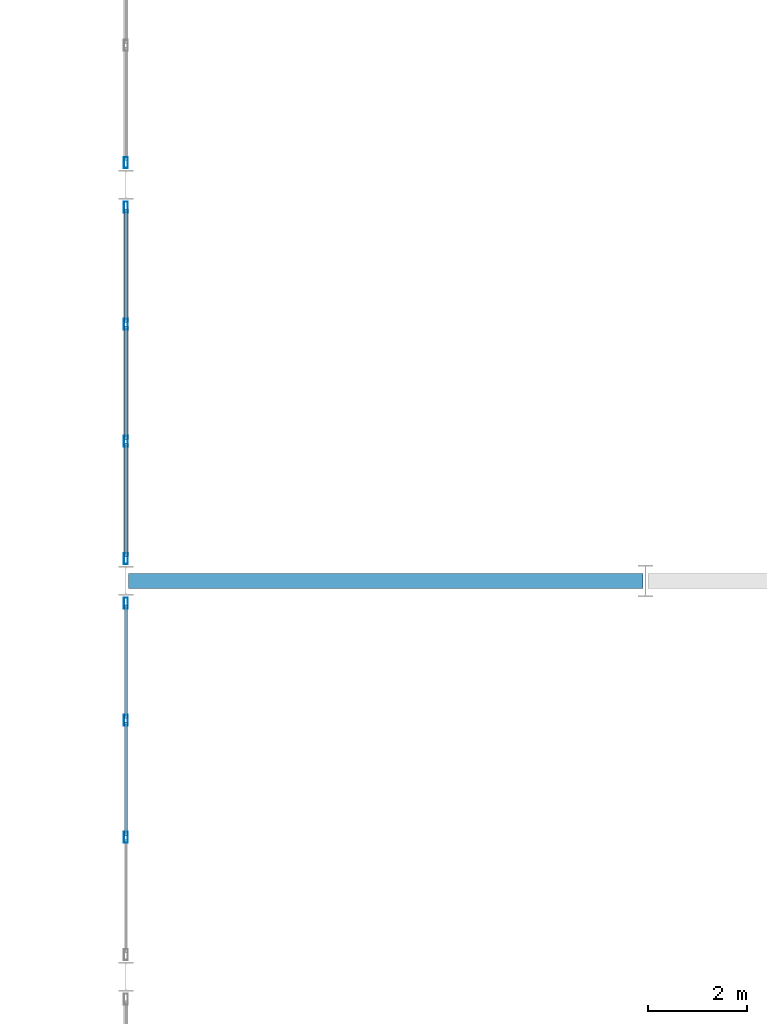
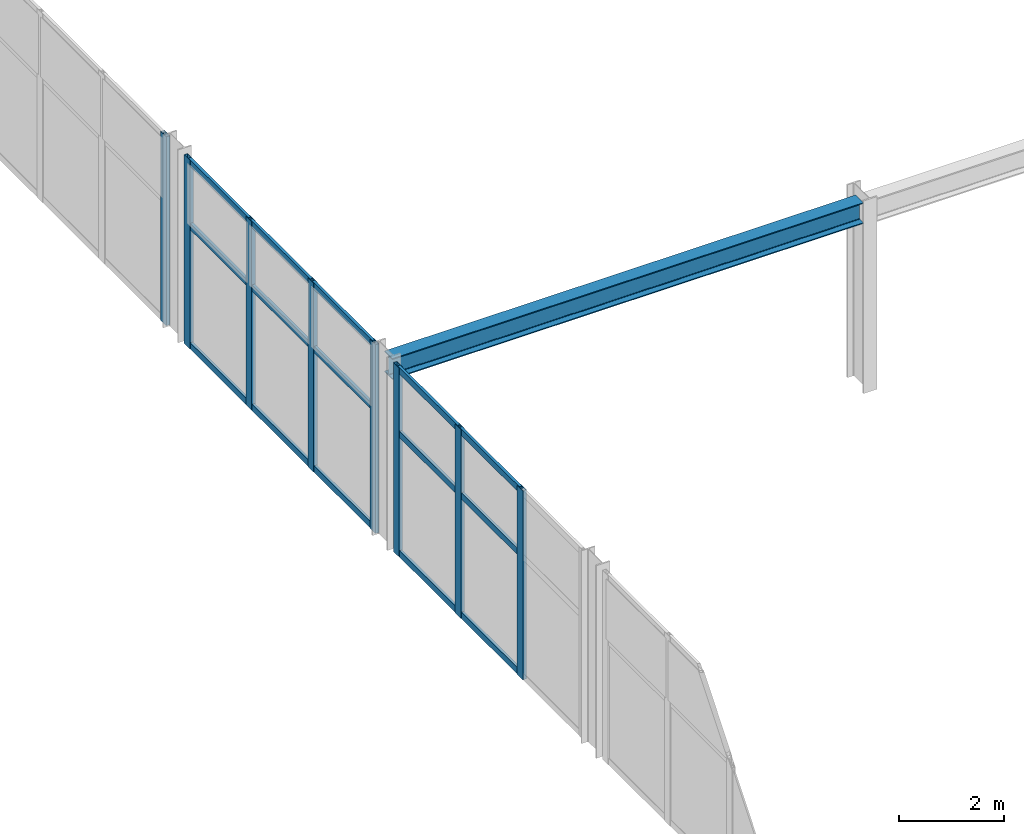
# One storey, part 28 of 105: 23 members, 1 beam, 3 elements without a shape of their own.
"""IFC4 building model written with IfcOpenShell, lengths in metres."""

from ifc_helpers import new_model, si_unit, direction, frame, origin, origin_2d, place, context, subcontext, project, spatial, hollow_rectangle, i_section, extrude, material, layer, layer_set, material_profile, profile_set, type_object, element, aggregate, save


model = new_model("IFC4")

# Units and contexts
model_context = context("Model", 3, precision=1e-05, world=origin(), true_north=direction((0.0, 1.0)))
body_context = subcontext(model_context, "Body", "Model", "MODEL_VIEW")
ifc_project = project(units=[si_unit("LENGTHUNIT", "METRE"), si_unit("AREAUNIT", "SQUARE_METRE"), si_unit("VOLUMEUNIT", "CUBIC_METRE"), si_unit("PLANEANGLEUNIT", "RADIAN"), si_unit("MASSUNIT", "GRAM", prefix="KILO")], contexts=[model_context])

# Site, building, storey
site_placement = place(None, origin())
site = spatial("IfcSite", under=ifc_project, at=site_placement, CompositionType="ELEMENT")
building_placement = place(site_placement, origin())
building = spatial("IfcBuilding", under=site, at=building_placement, Name="Marlcrest Central Station", CompositionType="ELEMENT")
storey_placement = place(building_placement, frame((0.0, 0.0, 15.0)))
storey = spatial("IfcBuildingStorey", under=building, at=storey_placement, Name="L03", CompositionType="ELEMENT", Elevation=15.0)

# Beam
ifc_material_1 = material(Name="Steel S355", Category="steel")
ifc_material_profile_1 = material_profile(ifc_material_1, i_section(OverallWidth=0.300048828125, OverallDepth=0.489990234375, WebThickness=0.011962890625, FlangeThickness=0.02294921875, FilletRadius=0.027099609375, at=origin_2d()), Name="HEA 500")
ifc_profile_set_1 = profile_set([ifc_material_profile_1], Name="Steel S355")
beam_type = type_object("IfcBeamType", Name="BM-10", PredefinedType="BEAM", material=ifc_profile_set_1)
beam_placement = place(storey_placement, frame((87.050048828125, 70.5, 4.074951171875), z_axis=(1.0, 0.0, 0.0), x_axis=(0.0, 1.0, 0.0)))
element("IfcBeam", 1, at=beam_placement, inside=storey, type_object=beam_type, Name="bm-BM-10-L03-01201", PredefinedType="BEAM", context=body_context, shape_type="SweptSolid", body=[
    extrude(i_section(OverallWidth=0.300048828125, OverallDepth=0.489990234375, WebThickness=0.011962890625, FlangeThickness=0.02294921875, FilletRadius=0.027099609375, at=origin_2d()), origin(), (0.0, 0.0, 1.0), 10.39990234375),
])

# Curtain wall, members
ifc_material_2 = material(Name="Anodised aluminium and hurricane laminated glass", Category="aluminium")
ifc_layer = layer(ifc_material_2, 0.219970703125, Name="CW-U1")
ifc_layer_set = layer_set([ifc_layer], Name="Anodised aluminium and hurricane laminated glass")
curtain_wall_type = type_object("IfcCurtainWallType", Name="CW-U1", PredefinedType="USERDEFINED", material=ifc_layer_set)
curtain_wall_1_placement = place(storey_placement, origin())
curtain_wall_1 = element("IfcCurtainWall", 2, at=curtain_wall_1_placement, inside=storey, type_object=curtain_wall_type, Name="cw-L03-0121", ObjectType="UNITISED_CURTAIN_WALL", PredefinedType="USERDEFINED")
ifc_material_3 = material(Name="Anodised aluminium 6063-T6", Category="aluminium")
ifc_material_profile_2 = material_profile(ifc_material_3, hollow_rectangle(XDim=0.080078125, YDim=0.219970703125, WallThickness=0.006103515625, at=origin_2d()), Name="AA-RHS 220x80x6")
ifc_profile_set_2 = profile_set([ifc_material_profile_2], Name="Anodised aluminium 6063-T6")
member_type_1 = type_object("IfcMemberType", Name="ML-01", PredefinedType="MULLION", material=ifc_profile_set_2)
member_1_placement = place(storey_placement, frame((87.0, 65.316650390625, -0.030029296875), z_axis=(0.0, 0.0, 1.0), x_axis=(1.0, 0.0, 0.0)))
member_1 = element("IfcMember", 3, at=member_1_placement, type_object=member_type_1, Name="cw-L03-0121-ml-1", PredefinedType="MULLION", context=body_context, shape_type="SweptSolid", body=[
    extrude(hollow_rectangle(XDim=0.080078125, YDim=0.219970703125, WallThickness=0.006103515625, at=origin_2d()), origin(), (0.0, 0.0, 1.0), 4.409912109375),
])
member_2_placement = place(storey_placement, frame((87.0, 67.683349609375, -0.030029296875), z_axis=(0.0, 0.0, 1.0), x_axis=(1.0, 0.0, 0.0)))
member_2 = element("IfcMember", 4, at=member_2_placement, type_object=member_type_1, Name="cw-L03-0121-ml-2", PredefinedType="MULLION", context=body_context, shape_type="SweptSolid", body=[
    extrude(hollow_rectangle(XDim=0.080078125, YDim=0.219970703125, WallThickness=0.006103515625, at=origin_2d()), origin(), (0.0, 0.0, 1.0), 4.409912109375),
])
member_3_placement = place(storey_placement, frame((87.0, 70.050048828125, -0.030029296875), z_axis=(0.0, 0.0, 1.0), x_axis=(1.0, 0.0, 0.0)))
member_3 = element("IfcMember", 5, at=member_3_placement, type_object=member_type_1, Name="cw-L03-0121-ml-3", PredefinedType="MULLION", context=body_context, shape_type="SweptSolid", body=[
    extrude(hollow_rectangle(XDim=0.080078125, YDim=0.219970703125, WallThickness=0.006103515625, at=origin_2d()), origin(), (0.0, 0.0, 1.0), 4.409912109375),
])

curtain_wall_2_placement = place(storey_placement, origin())
curtain_wall_2 = element("IfcCurtainWall", 6, at=curtain_wall_2_placement, inside=storey, type_object=curtain_wall_type, Name="cw-L03-0125", ObjectType="UNITISED_CURTAIN_WALL", PredefinedType="USERDEFINED")
member_4_placement = place(storey_placement, frame((87.0, 70.949951171875, -0.030029296875), z_axis=(0.0, 0.0, 1.0), x_axis=(1.0, 0.0, 0.0)))
member_4 = element("IfcMember", 7, at=member_4_placement, type_object=member_type_1, Name="cw-L03-0125-ml-0", PredefinedType="MULLION", context=body_context, shape_type="SweptSolid", body=[
    extrude(hollow_rectangle(XDim=0.080078125, YDim=0.219970703125, WallThickness=0.006103515625, at=origin_2d()), origin(), (0.0, 0.0, 1.0), 4.409912109375),
])
member_5_placement = place(storey_placement, frame((87.0, 73.316650390625, -0.030029296875), z_axis=(0.0, 0.0, 1.0), x_axis=(1.0, 0.0, 0.0)))
member_5 = element("IfcMember", 8, at=member_5_placement, type_object=member_type_1, Name="cw-L03-0125-ml-1", PredefinedType="MULLION", context=body_context, shape_type="SweptSolid", body=[
    extrude(hollow_rectangle(XDim=0.080078125, YDim=0.219970703125, WallThickness=0.006103515625, at=origin_2d()), origin(), (0.0, 0.0, 1.0), 4.409912109375),
])
member_6_placement = place(storey_placement, frame((87.0, 75.683349609375, -0.030029296875), z_axis=(0.0, 0.0, 1.0), x_axis=(1.0, 0.0, 0.0)))
member_6 = element("IfcMember", 9, at=member_6_placement, type_object=member_type_1, Name="cw-L03-0125-ml-2", PredefinedType="MULLION", context=body_context, shape_type="SweptSolid", body=[
    extrude(hollow_rectangle(XDim=0.080078125, YDim=0.219970703125, WallThickness=0.006103515625, at=origin_2d()), origin(), (0.0, 0.0, 1.0), 4.409912109375),
])
member_7_placement = place(storey_placement, frame((87.0, 78.050048828125, -0.030029296875), z_axis=(0.0, 0.0, 1.0), x_axis=(1.0, 0.0, 0.0)))
member_7 = element("IfcMember", 10, at=member_7_placement, type_object=member_type_1, Name="cw-L03-0125-ml-3", PredefinedType="MULLION", context=body_context, shape_type="SweptSolid", body=[
    extrude(hollow_rectangle(XDim=0.080078125, YDim=0.219970703125, WallThickness=0.006103515625, at=origin_2d()), origin(), (0.0, 0.0, 1.0), 4.409912109375),
])

# Curtain wall, member
curtain_wall_3_placement = place(storey_placement, origin())
curtain_wall_3 = element("IfcCurtainWall", 11, at=curtain_wall_3_placement, inside=storey, type_object=curtain_wall_type, Name="cw-L03-0129", ObjectType="UNITISED_CURTAIN_WALL", PredefinedType="USERDEFINED")
member_8_placement = place(storey_placement, frame((87.0, 78.949951171875, -0.030029296875), z_axis=(0.0, 0.0, 1.0), x_axis=(1.0, 0.0, 0.0)))
member_8 = element("IfcMember", 12, at=member_8_placement, type_object=member_type_1, Name="cw-L03-0129-ml-0", PredefinedType="MULLION", context=body_context, shape_type="SweptSolid", body=[
    extrude(hollow_rectangle(XDim=0.080078125, YDim=0.219970703125, WallThickness=0.006103515625, at=origin_2d()), origin(), (0.0, 0.0, 1.0), 4.409912109375),
])
aggregate(curtain_wall_3, [member_8])

# Member
ifc_material_profile_3 = material_profile(ifc_material_3, hollow_rectangle(XDim=0.06005859375, YDim=0.14990234375, WallThickness=0.00390625, at=origin_2d()), Name="AA-RHS 150x60x4")
ifc_profile_set_3 = profile_set([ifc_material_profile_3], Name="Anodised aluminium 6063-T6")
member_type_2 = type_object("IfcMemberType", Name="TR-01", PredefinedType="USERDEFINED", material=ifc_profile_set_3)
member_9_placement = place(storey_placement, frame((87.0, 65.354736328125, 0.0400390625), z_axis=(0.0, 1.0, 0.0), x_axis=(-1.0, 0.0, 0.0)))
member_9 = element("IfcMember", 13, at=member_9_placement, type_object=member_type_2, Name="cw-L03-0121-tr-1-sill", ObjectType="TRANSOM", PredefinedType="USERDEFINED", context=body_context, shape_type="SweptSolid", body=[
    extrude(hollow_rectangle(XDim=0.06005859375, YDim=0.14990234375, WallThickness=0.00390625, at=origin_2d()), origin(), (0.0, 0.0, 1.0), 2.29052734375),
])

member_10_placement = place(storey_placement, frame((87.0, 65.354736328125, 2.827880859375), z_axis=(0.0, 1.0, 0.0), x_axis=(-1.0, 0.0, 0.0)))
member_10 = element("IfcMember", 14, at=member_10_placement, type_object=member_type_2, Name="cw-L03-0121-tr-1-mid", ObjectType="TRANSOM", PredefinedType="USERDEFINED", context=body_context, shape_type="SweptSolid", body=[
    extrude(hollow_rectangle(XDim=0.06005859375, YDim=0.14990234375, WallThickness=0.00390625, at=origin_2d()), origin(), (0.0, 0.0, 1.0), 2.29052734375),
])

member_11_placement = place(storey_placement, frame((87.0, 65.354736328125, 4.31005859375), z_axis=(0.0, 1.0, 0.0), x_axis=(-1.0, 0.0, 0.0)))
member_11 = element("IfcMember", 15, at=member_11_placement, type_object=member_type_2, Name="cw-L03-0121-tr-1-head", ObjectType="TRANSOM", PredefinedType="USERDEFINED", context=body_context, shape_type="SweptSolid", body=[
    extrude(hollow_rectangle(XDim=0.06005859375, YDim=0.14990234375, WallThickness=0.00390625, at=origin_2d()), origin(), (0.0, 0.0, 1.0), 2.29052734375),
])

member_12_placement = place(storey_placement, frame((87.0, 67.72119140625, 0.0400390625), z_axis=(0.0, 1.0, 0.0), x_axis=(-1.0, 0.0, 0.0)))
member_12 = element("IfcMember", 16, at=member_12_placement, type_object=member_type_2, Name="cw-L03-0121-tr-2-sill", ObjectType="TRANSOM", PredefinedType="USERDEFINED", context=body_context, shape_type="SweptSolid", body=[
    extrude(hollow_rectangle(XDim=0.06005859375, YDim=0.14990234375, WallThickness=0.00390625, at=origin_2d()), origin(), (0.0, 0.0, 1.0), 2.290771484375),
])

member_13_placement = place(storey_placement, frame((87.0, 67.72119140625, 2.827880859375), z_axis=(0.0, 1.0, 0.0), x_axis=(-1.0, 0.0, 0.0)))
member_13 = element("IfcMember", 17, at=member_13_placement, type_object=member_type_2, Name="cw-L03-0121-tr-2-mid", ObjectType="TRANSOM", PredefinedType="USERDEFINED", context=body_context, shape_type="SweptSolid", body=[
    extrude(hollow_rectangle(XDim=0.06005859375, YDim=0.14990234375, WallThickness=0.00390625, at=origin_2d()), origin(), (0.0, 0.0, 1.0), 2.290771484375),
])

member_14_placement = place(storey_placement, frame((87.0, 67.72119140625, 4.31005859375), z_axis=(0.0, 1.0, 0.0), x_axis=(-1.0, 0.0, 0.0)))
member_14 = element("IfcMember", 18, at=member_14_placement, type_object=member_type_2, Name="cw-L03-0121-tr-2-head", ObjectType="TRANSOM", PredefinedType="USERDEFINED", context=body_context, shape_type="SweptSolid", body=[
    extrude(hollow_rectangle(XDim=0.06005859375, YDim=0.14990234375, WallThickness=0.00390625, at=origin_2d()), origin(), (0.0, 0.0, 1.0), 2.290771484375),
])

aggregate(curtain_wall_1, [member_1, member_2, member_3, member_9, member_10, member_11, member_12, member_13, member_14])

member_15_placement = place(storey_placement, frame((87.0, 70.988037109375, 0.0400390625), z_axis=(0.0, 1.0, 0.0), x_axis=(-1.0, 0.0, 0.0)))
member_15 = element("IfcMember", 19, at=member_15_placement, type_object=member_type_2, Name="cw-L03-0125-tr-0-sill", ObjectType="TRANSOM", PredefinedType="USERDEFINED", context=body_context, shape_type="SweptSolid", body=[
    extrude(hollow_rectangle(XDim=0.06005859375, YDim=0.14990234375, WallThickness=0.00390625, at=origin_2d()), origin(), (0.0, 0.0, 1.0), 2.290771484375),
])

member_16_placement = place(storey_placement, frame((87.0, 70.988037109375, 2.827880859375), z_axis=(0.0, 1.0, 0.0), x_axis=(-1.0, 0.0, 0.0)))
member_16 = element("IfcMember", 20, at=member_16_placement, type_object=member_type_2, Name="cw-L03-0125-tr-0-mid", ObjectType="TRANSOM", PredefinedType="USERDEFINED", context=body_context, shape_type="SweptSolid", body=[
    extrude(hollow_rectangle(XDim=0.06005859375, YDim=0.14990234375, WallThickness=0.00390625, at=origin_2d()), origin(), (0.0, 0.0, 1.0), 2.290771484375),
])

member_17_placement = place(storey_placement, frame((87.0, 70.988037109375, 4.31005859375), z_axis=(0.0, 1.0, 0.0), x_axis=(-1.0, 0.0, 0.0)))
member_17 = element("IfcMember", 21, at=member_17_placement, type_object=member_type_2, Name="cw-L03-0125-tr-0-head", ObjectType="TRANSOM", PredefinedType="USERDEFINED", context=body_context, shape_type="SweptSolid", body=[
    extrude(hollow_rectangle(XDim=0.06005859375, YDim=0.14990234375, WallThickness=0.00390625, at=origin_2d()), origin(), (0.0, 0.0, 1.0), 2.290771484375),
])

member_18_placement = place(storey_placement, frame((87.0, 73.354736328125, 0.0400390625), z_axis=(0.0, 1.0, 0.0), x_axis=(-1.0, 0.0, 0.0)))
member_18 = element("IfcMember", 22, at=member_18_placement, type_object=member_type_2, Name="cw-L03-0125-tr-1-sill", ObjectType="TRANSOM", PredefinedType="USERDEFINED", context=body_context, shape_type="SweptSolid", body=[
    extrude(hollow_rectangle(XDim=0.06005859375, YDim=0.14990234375, WallThickness=0.00390625, at=origin_2d()), origin(), (0.0, 0.0, 1.0), 2.29052734375),
])

member_19_placement = place(storey_placement, frame((87.0, 73.354736328125, 2.827880859375), z_axis=(0.0, 1.0, 0.0), x_axis=(-1.0, 0.0, 0.0)))
member_19 = element("IfcMember", 23, at=member_19_placement, type_object=member_type_2, Name="cw-L03-0125-tr-1-mid", ObjectType="TRANSOM", PredefinedType="USERDEFINED", context=body_context, shape_type="SweptSolid", body=[
    extrude(hollow_rectangle(XDim=0.06005859375, YDim=0.14990234375, WallThickness=0.00390625, at=origin_2d()), origin(), (0.0, 0.0, 1.0), 2.29052734375),
])

member_20_placement = place(storey_placement, frame((87.0, 73.354736328125, 4.31005859375), z_axis=(0.0, 1.0, 0.0), x_axis=(-1.0, 0.0, 0.0)))
member_20 = element("IfcMember", 24, at=member_20_placement, type_object=member_type_2, Name="cw-L03-0125-tr-1-head", ObjectType="TRANSOM", PredefinedType="USERDEFINED", context=body_context, shape_type="SweptSolid", body=[
    extrude(hollow_rectangle(XDim=0.06005859375, YDim=0.14990234375, WallThickness=0.00390625, at=origin_2d()), origin(), (0.0, 0.0, 1.0), 2.29052734375),
])

member_21_placement = place(storey_placement, frame((87.0, 75.72119140625, 0.0400390625), z_axis=(0.0, 1.0, 0.0), x_axis=(-1.0, 0.0, 0.0)))
member_21 = element("IfcMember", 25, at=member_21_placement, type_object=member_type_2, Name="cw-L03-0125-tr-2-sill", ObjectType="TRANSOM", PredefinedType="USERDEFINED", context=body_context, shape_type="SweptSolid", body=[
    extrude(hollow_rectangle(XDim=0.06005859375, YDim=0.14990234375, WallThickness=0.00390625, at=origin_2d()), origin(), (0.0, 0.0, 1.0), 2.290771484375),
])

member_22_placement = place(storey_placement, frame((87.0, 75.72119140625, 2.827880859375), z_axis=(0.0, 1.0, 0.0), x_axis=(-1.0, 0.0, 0.0)))
member_22 = element("IfcMember", 26, at=member_22_placement, type_object=member_type_2, Name="cw-L03-0125-tr-2-mid", ObjectType="TRANSOM", PredefinedType="USERDEFINED", context=body_context, shape_type="SweptSolid", body=[
    extrude(hollow_rectangle(XDim=0.06005859375, YDim=0.14990234375, WallThickness=0.00390625, at=origin_2d()), origin(), (0.0, 0.0, 1.0), 2.290771484375),
])

member_23_placement = place(storey_placement, frame((87.0, 75.72119140625, 4.31005859375), z_axis=(0.0, 1.0, 0.0), x_axis=(-1.0, 0.0, 0.0)))
member_23 = element("IfcMember", 27, at=member_23_placement, type_object=member_type_2, Name="cw-L03-0125-tr-2-head", ObjectType="TRANSOM", PredefinedType="USERDEFINED", context=body_context, shape_type="SweptSolid", body=[
    extrude(hollow_rectangle(XDim=0.06005859375, YDim=0.14990234375, WallThickness=0.00390625, at=origin_2d()), origin(), (0.0, 0.0, 1.0), 2.290771484375),
])

aggregate(curtain_wall_2, [member_4, member_5, member_6, member_7, member_15, member_16, member_17, member_18, member_19, member_20, member_21, member_22, member_23])

save(model, "model.ifc")
